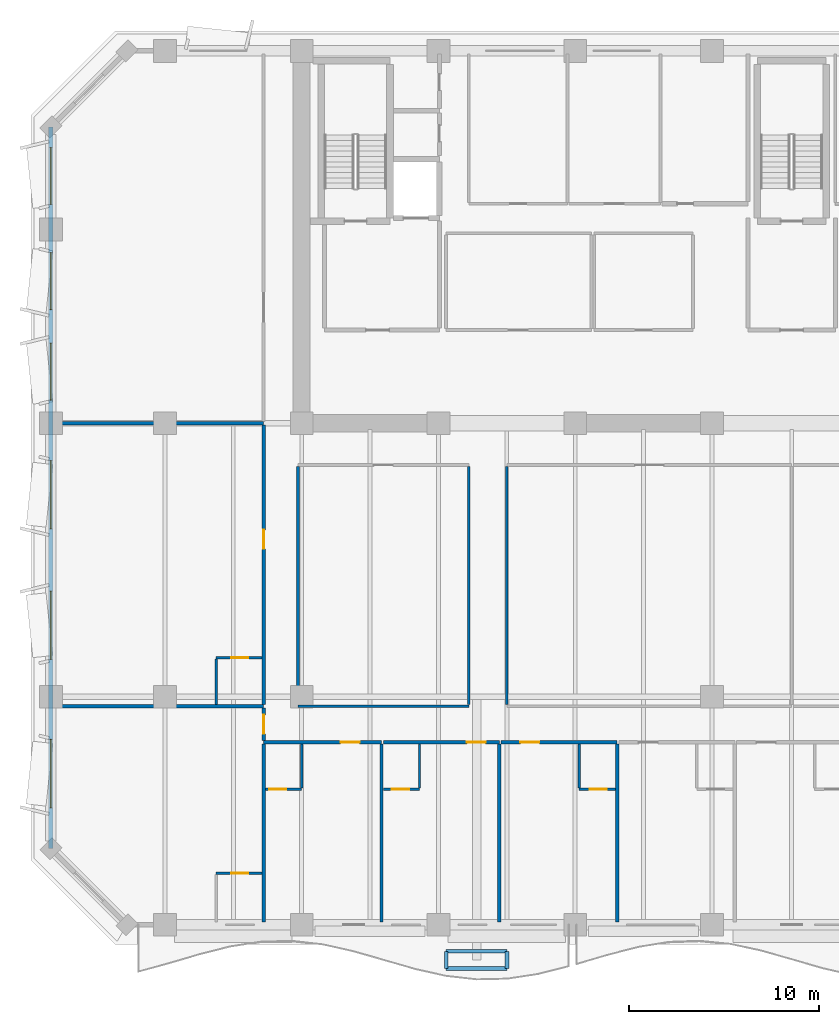
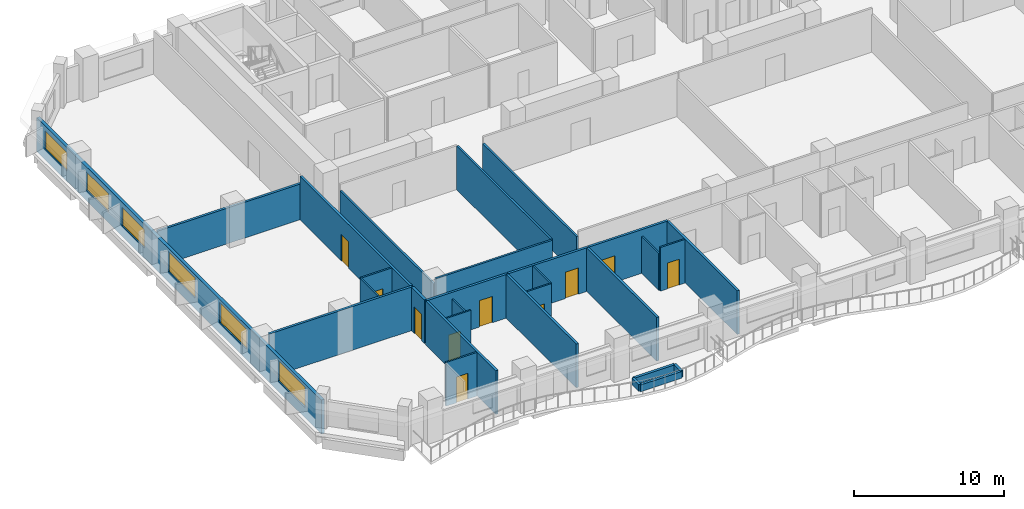
# One storey, part 4 of 15: 29 walls, 10 doors, 6 windows, 16 openings.
"""IFC4 building model written with IfcOpenShell, lengths in metres."""

from ifc_helpers import new_model, si_unit, direction, frame, frame_2d, origin, place, context, subcontext, project, spatial, rectangle, extrude, material, layer, layer_set, type_object, element, fill, save


model = new_model("IFC4")

# Units and contexts
model_context = context("Model", 3, precision=1e-05, world=origin(), true_north=direction((0.0, 1.0)))
body_context = subcontext(model_context, "Body", "Model", "MODEL_VIEW")
ifc_project = project(units=[si_unit("LENGTHUNIT", "METRE"), si_unit("AREAUNIT", "SQUARE_METRE"), si_unit("VOLUMEUNIT", "CUBIC_METRE"), si_unit("PLANEANGLEUNIT", "RADIAN"), si_unit("MASSUNIT", "GRAM", prefix="KILO")], contexts=[model_context])

# Site, building, storey
site_placement = place(None, origin())
site = spatial("IfcSite", under=ifc_project, at=site_placement, CompositionType="ELEMENT")
building_placement = place(site_placement, origin())
building = spatial("IfcBuilding", under=site, at=building_placement, Name="Kaelvorn Grand Hotel", CompositionType="ELEMENT")
storey_placement = place(building_placement, frame((0.0, 0.0, 154.35009765625)))
storey = spatial("IfcBuildingStorey", under=building, at=storey_placement, Name="L37", CompositionType="ELEMENT", Elevation=154.35009765625)

# Wall, openings, windows
ifc_material_1 = material(Name="Concrete C40/50", Category="concrete")
ifc_layer_1 = layer(ifc_material_1, 0.239990234375)
ifc_layer_set_1 = layer_set([ifc_layer_1], Name="Concrete C40/50")
wall_type_1 = type_object("IfcWallType", Name="WL-EXT-240-C40", PredefinedType="SOLIDWALL", material=ifc_layer_set_1)
wall_1_placement = place(storey_placement, frame((3.0, 45.0, 0.0), z_axis=(0.0, 0.0, 1.0), x_axis=(0.0, -1.0, 0.0)))
wall_1 = element("IfcWall", 1, at=wall_1_placement, inside=storey, type_object=wall_type_1, Name="L37 Exterior Architectural Concrete Wall 07", PredefinedType="SOLIDWALL", context=body_context, shape_type="SweptSolid", body=[
    extrude(rectangle(XDim=38.0, YDim=0.239990234375, at=frame_2d((19.0, 0.0))), origin(), (0.0, 0.0, 1.0), 2.760009765625),
])
opening_1_placement = place(wall_1_placement, frame((32.25, 0.0, 0.85009765625)))
opening_1 = element("IfcOpeningElement", 2, at=opening_1_placement, cuts=wall_1, Name="Opening W3", PredefinedType="OPENING", context=body_context, shape_type="SweptSolid", body=[
    extrude(rectangle(XDim=3.60009765625, YDim=1.64990234375, at=frame_2d((1.800048828125, 0.824951171875))), frame((0.0, 0.1298828125, 0.0), z_axis=(0.0, -1.0, 0.0), x_axis=(1.0, 0.0, 0.0)), (0.0, 0.0, 1.0), 0.260009765625),
])
opening_2_placement = place(wall_1_placement, frame((24.43505859375, 0.0, 0.85009765625)))
opening_2 = element("IfcOpeningElement", 3, at=opening_2_placement, cuts=wall_1, Name="Opening W3", PredefinedType="OPENING", context=body_context, shape_type="SweptSolid", body=[
    extrude(rectangle(XDim=3.60009765625, YDim=1.64990234375, at=frame_2d((1.800048828125, 0.824951171875))), frame((0.0, 0.1298828125, 0.0), z_axis=(0.0, -1.0, 0.0), x_axis=(1.0, 0.0, 0.0)), (0.0, 0.0, 1.0), 0.260009765625),
])
opening_3_placement = place(wall_1_placement, frame((17.56494140625, 0.0, 0.85009765625)))
opening_3 = element("IfcOpeningElement", 4, at=opening_3_placement, cuts=wall_1, Name="Opening W3", PredefinedType="OPENING", context=body_context, shape_type="SweptSolid", body=[
    extrude(rectangle(XDim=3.60009765625, YDim=1.64990234375, at=frame_2d((1.800048828125, 0.824951171875))), frame((0.0, 0.1298828125, 0.0), z_axis=(0.0, -1.0, 0.0), x_axis=(1.0, 0.0, 0.0)), (0.0, 0.0, 1.0), 0.260009765625),
])
opening_4_placement = place(wall_1_placement, frame((11.385009765625, 0.0, 0.85009765625)))
opening_4 = element("IfcOpeningElement", 5, at=opening_4_placement, cuts=wall_1, Name="Opening W5", PredefinedType="OPENING", context=body_context, shape_type="SweptSolid", body=[
    extrude(rectangle(XDim=3.0, YDim=1.5, at=frame_2d((1.5, 0.75))), frame((0.0, 0.1298828125, 0.0), z_axis=(0.0, -1.0, 0.0), x_axis=(1.0, 0.0, 0.0)), (0.0, 0.0, 1.0), 0.260009765625),
])
opening_5_placement = place(wall_1_placement, frame((6.614990234375, 0.0, 0.85009765625)))
opening_5 = element("IfcOpeningElement", 6, at=opening_5_placement, cuts=wall_1, Name="Opening W5", PredefinedType="OPENING", context=body_context, shape_type="SweptSolid", body=[
    extrude(rectangle(XDim=3.0, YDim=1.5, at=frame_2d((1.5, 0.75))), frame((0.0, 0.1298828125, 0.0), z_axis=(0.0, -1.0, 0.0), x_axis=(1.0, 0.0, 0.0)), (0.0, 0.0, 1.0), 0.260009765625),
])
opening_6_placement = place(wall_1_placement, frame((1.0849609375, 0.0, 0.85009765625)))
opening_6 = element("IfcOpeningElement", 7, at=opening_6_placement, cuts=wall_1, Name="Opening W5", PredefinedType="OPENING", context=body_context, shape_type="SweptSolid", body=[
    extrude(rectangle(XDim=3.0, YDim=1.5, at=frame_2d((1.5, 0.75))), frame((0.0, 0.1298828125, 0.0), z_axis=(0.0, -1.0, 0.0), x_axis=(1.0, 0.0, 0.0)), (0.0, 0.0, 1.0), 0.260009765625),
])
ifc_material_2 = material(Name="Laminated Low-E Glass", Category="glass")
window_type_1 = type_object("IfcWindowType", Name="WIN-NTH-3000x1500", PartitioningType="SINGLE_PANEL", PredefinedType="WINDOW", material=ifc_material_2)
window_1_placement = place(opening_4_placement, origin())
window_1 = element("IfcWindow", 8, at=window_1_placement, inside=storey, type_object=window_type_1, Name="L37 W Wing Tilted-Frame Ribbon Window W04", OverallHeight=1.5, OverallWidth=3.0, PartitioningType="SINGLE_PANEL", PredefinedType="WINDOW", context=body_context, shape_type="SweptSolid", body=[
    extrude(rectangle(XDim=3.0, YDim=1.5, at=frame_2d((1.5, 0.75))), frame((0.0, 0.030029296875, 0.0), z_axis=(0.0, -1.0, 0.0), x_axis=(1.0, 0.0, 0.0)), (0.0, 0.0, 1.0), 0.06005859375),
])
fill(opening_4, window_1)
window_2_placement = place(opening_5_placement, origin())
window_2 = element("IfcWindow", 9, at=window_2_placement, inside=storey, type_object=window_type_1, Name="L37 W Wing Tilted-Frame Ribbon Window W05", OverallHeight=1.5, OverallWidth=3.0, PartitioningType="SINGLE_PANEL", PredefinedType="WINDOW", context=body_context, shape_type="SweptSolid", body=[
    extrude(rectangle(XDim=3.0, YDim=1.5, at=frame_2d((1.5, 0.75))), frame((0.0, 0.030029296875, 0.0), z_axis=(0.0, -1.0, 0.0), x_axis=(1.0, 0.0, 0.0)), (0.0, 0.0, 1.0), 0.06005859375),
])
fill(opening_5, window_2)
window_3_placement = place(opening_6_placement, origin())
window_3 = element("IfcWindow", 10, at=window_3_placement, inside=storey, type_object=window_type_1, Name="L37 W Wing Tilted-Frame Ribbon Window W06", OverallHeight=1.5, OverallWidth=3.0, PartitioningType="SINGLE_PANEL", PredefinedType="WINDOW", context=body_context, shape_type="SweptSolid", body=[
    extrude(rectangle(XDim=3.0, YDim=1.5, at=frame_2d((1.5, 0.75))), frame((0.0, 0.030029296875, 0.0), z_axis=(0.0, -1.0, 0.0), x_axis=(1.0, 0.0, 0.0)), (0.0, 0.0, 1.0), 0.06005859375),
])
fill(opening_6, window_3)
window_type_2 = type_object("IfcWindowType", Name="WIN-RIB-3600x1750", PartitioningType="SINGLE_PANEL", PredefinedType="WINDOW", material=ifc_material_2)
window_4_placement = place(opening_1_placement, origin())
window_4 = element("IfcWindow", 11, at=window_4_placement, inside=storey, type_object=window_type_2, Name="L37 W Wing Tilted-Frame Ribbon Window W01", OverallHeight=1.64990234375, OverallWidth=3.60009765625, PartitioningType="SINGLE_PANEL", PredefinedType="WINDOW", context=body_context, shape_type="SweptSolid", body=[
    extrude(rectangle(XDim=3.60009765625, YDim=1.64990234375, at=frame_2d((1.800048828125, 0.824951171875))), frame((0.0, 0.030029296875, 0.0), z_axis=(0.0, -1.0, 0.0), x_axis=(1.0, 0.0, 0.0)), (0.0, 0.0, 1.0), 0.06005859375),
])
fill(opening_1, window_4)
window_5_placement = place(opening_2_placement, origin())
window_5 = element("IfcWindow", 12, at=window_5_placement, inside=storey, type_object=window_type_2, Name="L37 W Wing Tilted-Frame Ribbon Window W02", OverallHeight=1.64990234375, OverallWidth=3.60009765625, PartitioningType="SINGLE_PANEL", PredefinedType="WINDOW", context=body_context, shape_type="SweptSolid", body=[
    extrude(rectangle(XDim=3.60009765625, YDim=1.64990234375, at=frame_2d((1.800048828125, 0.824951171875))), frame((0.0, 0.030029296875, 0.0), z_axis=(0.0, -1.0, 0.0), x_axis=(1.0, 0.0, 0.0)), (0.0, 0.0, 1.0), 0.06005859375),
])
fill(opening_2, window_5)
window_6_placement = place(opening_3_placement, origin())
window_6 = element("IfcWindow", 13, at=window_6_placement, inside=storey, type_object=window_type_2, Name="L37 W Wing Tilted-Frame Ribbon Window W03", OverallHeight=1.64990234375, OverallWidth=3.60009765625, PartitioningType="SINGLE_PANEL", PredefinedType="WINDOW", context=body_context, shape_type="SweptSolid", body=[
    extrude(rectangle(XDim=3.60009765625, YDim=1.64990234375, at=frame_2d((1.800048828125, 0.824951171875))), frame((0.0, 0.030029296875, 0.0), z_axis=(0.0, -1.0, 0.0), x_axis=(1.0, 0.0, 0.0)), (0.0, 0.0, 1.0), 0.06005859375),
])
fill(opening_3, window_6)

# Wall, opening, door
ifc_material_3 = material(Name="Moisture-Resistant Tile & Stud Board")
ifc_layer_2 = layer(ifc_material_3, 0.125)
ifc_layer_set_2 = layer_set([ifc_layer_2], Name="Moisture-Resistant Tile & Stud Board")
wall_type_2 = type_object("IfcWallType", Name="WL-PART-125-WET", PredefinedType="PARTITIONING", material=ifc_layer_set_2)
wall_2_placement = place(storey_placement, frame((14.294921875, 10.139892578125, 0.0), z_axis=(0.0, 0.0, 1.0), x_axis=(1.0, 0.0, 0.0)))
wall_2 = element("IfcWall", 14, at=wall_2_placement, inside=storey, type_object=wall_type_2, Name="L37 En-suite Bathroom L37-01 S Partition", PredefinedType="PARTITIONING", context=body_context, shape_type="SweptSolid", body=[
    extrude(rectangle(XDim=1.905029296875, YDim=0.125, at=frame_2d((0.95263671875, 0.0))), origin(), (0.0, 0.0, 1.0), 3.559814453125),
])
opening_7_placement = place(wall_2_placement, frame((0.205078125, 0.0, 0.0)))
opening_7 = element("IfcOpeningElement", 15, at=opening_7_placement, cuts=wall_2, Name="Opening DI4", PredefinedType="OPENING", context=body_context, shape_type="SweptSolid", body=[
    extrude(rectangle(XDim=0.89990234375, YDim=2.10009765625, at=frame_2d((0.449951171875, 1.050048828125))), frame((0.0, 0.072509765625, 0.0), z_axis=(0.0, -1.0, 0.0), x_axis=(1.0, 0.0, 0.0)), (0.0, 0.0, 1.0), 0.14501953125),
])
ifc_material_4 = material(Name="Timber Veneer Leaf", Category="wood")
door_type_1 = type_object("IfcDoorType", Name="DR-INT-BATH-900x2100", OperationType="NOTDEFINED", PredefinedType="DOOR", material=ifc_material_4)
door_1_placement = place(opening_7_placement, origin())
door_1 = element("IfcDoor", 16, at=door_1_placement, inside=storey, type_object=door_type_1, Name="L37 En-suite Bathroom L37-01 Door", OperationType="SINGLE_SWING_RIGHT", OverallHeight=2.10009765625, OverallWidth=0.89990234375, PredefinedType="DOOR", context=body_context, shape_type="SweptSolid", body=[
    extrude(rectangle(XDim=0.89990234375, YDim=2.10009765625, at=frame_2d((0.449951171875, 1.050048828125))), frame((0.0, 0.02490234375, 0.0), z_axis=(0.0, -1.0, 0.0), x_axis=(1.0, 0.0, 0.0)), (0.0, 0.0, 1.0), 0.050048828125),
])
fill(opening_7, door_1)

# Wall
wall_3_placement = place(storey_placement, frame((16.199951171875, 10.20751953125, 0.0), z_axis=(0.0, 0.0, 1.0), x_axis=(0.0, 1.0, 0.0)))
element("IfcWall", 17, at=wall_3_placement, inside=storey, type_object=wall_type_2, Name="L37 En-suite Bathroom L37-01 E Partition", PredefinedType="PARTITIONING", context=body_context, shape_type="SweptSolid", body=[
    extrude(rectangle(XDim=2.29736328125, YDim=0.125, at=frame_2d((1.148681640625, 0.0))), origin(), (0.0, 0.0, 1.0), 3.010009765625),
])

# Wall, opening, door
wall_4_placement = place(storey_placement, frame((20.49658203125, 10.139892578125, 0.0), z_axis=(0.0, 0.0, 1.0), x_axis=(1.0, 0.0, 0.0)))
wall_4 = element("IfcWall", 18, at=wall_4_placement, inside=storey, type_object=wall_type_2, Name="L37 En-suite Bathroom L37-02 S Partition", PredefinedType="PARTITIONING", context=body_context, shape_type="SweptSolid", body=[
    extrude(rectangle(XDim=1.905029296875, YDim=0.125, at=frame_2d((0.95263671875, 0.0))), origin(), (0.0, 0.0, 1.0), 3.559814453125),
])
opening_8_placement = place(wall_4_placement, frame((0.455078125, 0.0, 0.0)))
opening_8 = element("IfcOpeningElement", 19, at=opening_8_placement, cuts=wall_4, Name="Opening DI4", PredefinedType="OPENING", context=body_context, shape_type="SweptSolid", body=[
    extrude(rectangle(XDim=0.89990234375, YDim=2.10009765625, at=frame_2d((0.449951171875, 1.050048828125))), frame((0.0, 0.072509765625, 0.0), z_axis=(0.0, -1.0, 0.0), x_axis=(1.0, 0.0, 0.0)), (0.0, 0.0, 1.0), 0.14501953125),
])
door_2_placement = place(opening_8_placement, origin())
door_2 = element("IfcDoor", 20, at=door_2_placement, inside=storey, type_object=door_type_1, Name="L37 En-suite Bathroom L37-02 Door", OperationType="SINGLE_SWING_RIGHT", OverallHeight=2.10009765625, OverallWidth=0.89990234375, PredefinedType="DOOR", context=body_context, shape_type="SweptSolid", body=[
    extrude(rectangle(XDim=0.89990234375, YDim=2.10009765625, at=frame_2d((0.449951171875, 1.050048828125))), frame((0.0, 0.02490234375, 0.0), z_axis=(0.0, -1.0, 0.0), x_axis=(1.0, 0.0, 0.0)), (0.0, 0.0, 1.0), 0.050048828125),
])
fill(opening_8, door_2)

# Wall
wall_5_placement = place(storey_placement, frame((22.401611328125, 10.20751953125, 0.0), z_axis=(0.0, 0.0, 1.0), x_axis=(0.0, 1.0, 0.0)))
element("IfcWall", 21, at=wall_5_placement, inside=storey, type_object=wall_type_2, Name="L37 En-suite Bathroom L37-02 E Partition", PredefinedType="PARTITIONING", context=body_context, shape_type="SweptSolid", body=[
    extrude(rectangle(XDim=2.29736328125, YDim=0.125, at=frame_2d((1.148681640625, 0.0))), origin(), (0.0, 0.0, 1.0), 3.559814453125),
])

# Wall, opening, door
wall_6_placement = place(storey_placement, frame((30.8046875, 10.139892578125, 0.0), z_axis=(0.0, 0.0, 1.0), x_axis=(1.0, 0.0, 0.0)))
wall_6 = element("IfcWall", 22, at=wall_6_placement, inside=storey, type_object=wall_type_2, Name="L37 En-suite Bathroom L37-03 S Partition", PredefinedType="PARTITIONING", context=body_context, shape_type="SweptSolid", body=[
    extrude(rectangle(XDim=1.905029296875, YDim=0.125, at=frame_2d((0.95263671875, 0.0))), origin(), (0.0, 0.0, 1.0), 3.559814453125),
])
opening_9_placement = place(wall_6_placement, frame((0.550048828125, 0.0, 0.0)))
opening_9 = element("IfcOpeningElement", 23, at=opening_9_placement, cuts=wall_6, Name="Opening DI4", PredefinedType="OPENING", context=body_context, shape_type="SweptSolid", body=[
    extrude(rectangle(XDim=0.89990234375, YDim=2.10009765625, at=frame_2d((0.449951171875, 1.050048828125))), frame((0.0, 0.072509765625, 0.0), z_axis=(0.0, -1.0, 0.0), x_axis=(1.0, 0.0, 0.0)), (0.0, 0.0, 1.0), 0.14501953125),
])
door_3_placement = place(opening_9_placement, origin())
door_3 = element("IfcDoor", 24, at=door_3_placement, inside=storey, type_object=door_type_1, Name="L37 En-suite Bathroom L37-03 Door", OperationType="SINGLE_SWING_RIGHT", OverallHeight=2.10009765625, OverallWidth=0.89990234375, PredefinedType="DOOR", context=body_context, shape_type="SweptSolid", body=[
    extrude(rectangle(XDim=0.89990234375, YDim=2.10009765625, at=frame_2d((0.449951171875, 1.050048828125))), frame((0.0, 0.02490234375, 0.0), z_axis=(0.0, -1.0, 0.0), x_axis=(1.0, 0.0, 0.0)), (0.0, 0.0, 1.0), 0.050048828125),
])
fill(opening_9, door_3)

# Wall
wall_7_placement = place(storey_placement, frame((30.8046875, 10.20751953125, 0.0), z_axis=(0.0, 0.0, 1.0), x_axis=(0.0, 1.0, 0.0)))
element("IfcWall", 25, at=wall_7_placement, inside=storey, type_object=wall_type_2, Name="L37 En-suite Bathroom L37-03 W Partition", PredefinedType="PARTITIONING", context=body_context, shape_type="SweptSolid", body=[
    extrude(rectangle(XDim=2.29736328125, YDim=0.125, at=frame_2d((1.148681640625, 0.0))), origin(), (0.0, 0.0, 1.0), 3.010009765625),
])

# Wall, opening, door
wall_8_placement = place(storey_placement, frame((11.699951171875, 5.699951171875, 0.0), z_axis=(0.0, 0.0, 1.0), x_axis=(1.0, 0.0, 0.0)))
wall_8 = element("IfcWall", 26, at=wall_8_placement, inside=storey, type_object=wall_type_2, Name="L37 En-suite Bathroom L37-10 N Partition", PredefinedType="PARTITIONING", context=body_context, shape_type="SweptSolid", body=[
    extrude(rectangle(XDim=2.405029296875, YDim=0.125, at=frame_2d((1.20263671875, 0.0))), origin(), (0.0, 0.0, 1.0), 3.559814453125),
])
opening_10_placement = place(wall_8_placement, frame((0.800048828125, 0.0, 0.0)))
opening_10 = element("IfcOpeningElement", 27, at=opening_10_placement, cuts=wall_8, Name="Opening DI4", PredefinedType="OPENING", context=body_context, shape_type="SweptSolid", body=[
    extrude(rectangle(XDim=0.89990234375, YDim=2.10009765625, at=frame_2d((0.449951171875, 1.050048828125))), frame((0.0, 0.072509765625, 0.0), z_axis=(0.0, -1.0, 0.0), x_axis=(1.0, 0.0, 0.0)), (0.0, 0.0, 1.0), 0.14501953125),
])
door_4_placement = place(opening_10_placement, origin())
door_4 = element("IfcDoor", 28, at=door_4_placement, inside=storey, type_object=door_type_1, Name="L37 En-suite Bathroom L37-10 Door", OperationType="SINGLE_SWING_RIGHT", OverallHeight=2.10009765625, OverallWidth=0.89990234375, PredefinedType="DOOR", context=body_context, shape_type="SweptSolid", body=[
    extrude(rectangle(XDim=0.89990234375, YDim=2.10009765625, at=frame_2d((0.449951171875, 1.050048828125))), frame((0.0, 0.02490234375, 0.0), z_axis=(0.0, -1.0, 0.0), x_axis=(1.0, 0.0, 0.0)), (0.0, 0.0, 1.0), 0.050048828125),
])
fill(opening_10, door_4)

wall_9_placement = place(storey_placement, frame((11.699951171875, 17.050048828125, 0.0), z_axis=(0.0, 0.0, 1.0), x_axis=(1.0, 0.0, 0.0)))
wall_9 = element("IfcWall", 29, at=wall_9_placement, inside=storey, type_object=wall_type_2, Name="L37 En-suite Bathroom L37-11 N Partition", PredefinedType="PARTITIONING", context=body_context, shape_type="SweptSolid", body=[
    extrude(rectangle(XDim=2.405029296875, YDim=0.125, at=frame_2d((1.20263671875, 0.0))), origin(), (0.0, 0.0, 1.0), 3.559814453125),
])
opening_11_placement = place(wall_9_placement, frame((0.800048828125, 0.0, 0.0)))
opening_11 = element("IfcOpeningElement", 30, at=opening_11_placement, cuts=wall_9, Name="Opening DI4", PredefinedType="OPENING", context=body_context, shape_type="SweptSolid", body=[
    extrude(rectangle(XDim=0.89990234375, YDim=2.10009765625, at=frame_2d((0.449951171875, 1.050048828125))), frame((0.0, 0.072509765625, 0.0), z_axis=(0.0, -1.0, 0.0), x_axis=(1.0, 0.0, 0.0)), (0.0, 0.0, 1.0), 0.14501953125),
])
door_5_placement = place(opening_11_placement, origin())
door_5 = element("IfcDoor", 31, at=door_5_placement, inside=storey, type_object=door_type_1, Name="L37 En-suite Bathroom L37-11 Door", OperationType="SINGLE_SWING_RIGHT", OverallHeight=2.10009765625, OverallWidth=0.89990234375, PredefinedType="DOOR", context=body_context, shape_type="SweptSolid", body=[
    extrude(rectangle(XDim=0.89990234375, YDim=2.10009765625, at=frame_2d((0.449951171875, 1.050048828125))), frame((0.0, 0.02490234375, 0.0), z_axis=(0.0, -1.0, 0.0), x_axis=(1.0, 0.0, 0.0)), (0.0, 0.0, 1.0), 0.050048828125),
])
fill(opening_11, door_5)

# Walls
wall_10_placement = place(storey_placement, frame((11.699951171875, 14.594970703125, 0.0), z_axis=(0.0, 0.0, 1.0), x_axis=(0.0, 1.0, 0.0)))
element("IfcWall", 32, at=wall_10_placement, inside=storey, type_object=wall_type_2, Name="L37 En-suite Bathroom L37-11 W Partition", PredefinedType="PARTITIONING", context=body_context, shape_type="SweptSolid", body=[
    extrude(rectangle(XDim=2.387451171875, YDim=0.125, at=frame_2d((1.19384765625, 0.0))), origin(), (0.0, 0.0, 1.0), 3.559814453125),
])
ifc_material_5 = material(Name="Acoustic Gypsum & Stud Partition")
ifc_layer_3 = layer(ifc_material_5, 0.14990234375)
ifc_layer_set_3 = layer_set([ifc_layer_3], Name="Acoustic Gypsum & Stud Partition")
wall_type_3 = type_object("IfcWallType", Name="WL-PART-150-EI60", PredefinedType="PARTITIONING", material=ifc_layer_set_3)
wall_11_placement = place(storey_placement, frame((16.0, 14.5, 0.0), z_axis=(0.0, 0.0, 1.0), x_axis=(1.0, 0.0, 0.0)))
element("IfcWall", 33, at=wall_11_placement, inside=storey, type_object=wall_type_3, Name="L37 Reading Library Lounge S Partition", PredefinedType="PARTITIONING", context=body_context, shape_type="SweptSolid", body=[
    extrude(rectangle(XDim=9.0, YDim=0.14990234375, at=frame_2d((4.5, 0.0))), origin(), (0.0, 0.0, 1.0), 3.559814453125),
])
wall_12_placement = place(storey_placement, frame((16.0, 14.580078125, 0.0), z_axis=(0.0, 0.0, 1.0), x_axis=(0.0, 1.0, 0.0)))
element("IfcWall", 34, at=wall_12_placement, inside=storey, type_object=wall_type_3, Name="L37 Reading Library Lounge W Partition", PredefinedType="PARTITIONING", context=body_context, shape_type="SweptSolid", body=[
    extrude(rectangle(XDim=12.5400390625, YDim=0.14990234375, at=frame_2d((6.27001953125, 0.0))), origin(), (0.0, 0.0, 1.0), 3.059814453125),
])
wall_13_placement = place(storey_placement, frame((25.0, 14.580078125, 0.0), z_axis=(0.0, 0.0, 1.0), x_axis=(0.0, 1.0, 0.0)))
element("IfcWall", 35, at=wall_13_placement, inside=storey, type_object=wall_type_3, Name="L37 Reading Library Lounge E Partition", PredefinedType="PARTITIONING", context=body_context, shape_type="SweptSolid", body=[
    extrude(rectangle(XDim=12.5400390625, YDim=0.14990234375, at=frame_2d((6.27001953125, 0.0))), origin(), (0.0, 0.0, 1.0), 3.559814453125),
])
wall_14_placement = place(storey_placement, frame((27.0, 14.580078125, 0.0), z_axis=(0.0, 0.0, 1.0), x_axis=(0.0, 1.0, 0.0)))
element("IfcWall", 36, at=wall_14_placement, inside=storey, type_object=wall_type_3, Name="L37 Chef Finishing Kitchen W Partition", PredefinedType="PARTITIONING", context=body_context, shape_type="SweptSolid", body=[
    extrude(rectangle(XDim=12.5400390625, YDim=0.14990234375, at=frame_2d((6.27001953125, 0.0))), origin(), (0.0, 0.0, 1.0), 3.059814453125),
])

# Wall, opening, door
ifc_layer_4 = layer(ifc_material_5, 0.179931640625)
ifc_layer_set_4 = layer_set([ifc_layer_4], Name="Acoustic Gypsum & Stud Partition")
wall_type_4 = type_object("IfcWallType", Name="WL-PART-180-EI60", PredefinedType="PARTITIONING", material=ifc_layer_set_4)
wall_15_placement = place(storey_placement, frame((14.199951171875, 12.60009765625, 0.0), z_axis=(0.0, 0.0, 1.0), x_axis=(1.0, 0.0, 0.0)))
wall_15 = element("IfcWall", 37, at=wall_15_placement, inside=storey, type_object=wall_type_4, Name="L37 Mid-Rise Signature Suite L37-01 N Partition", PredefinedType="PARTITIONING", context=body_context, shape_type="SweptSolid", body=[
    extrude(rectangle(XDim=6.20166015625, YDim=0.179931640625, at=frame_2d((3.100830078125, 0.0))), origin(), (0.0, 0.0, 1.0), 3.559814453125),
])
opening_12_placement = place(wall_15_placement, frame((4.05078125, 0.0, 0.0)))
opening_12 = element("IfcOpeningElement", 38, at=opening_12_placement, cuts=wall_15, Name="Opening DI3", PredefinedType="OPENING", context=body_context, shape_type="SweptSolid", body=[
    extrude(rectangle(XDim=1.0, YDim=2.14990234375, at=frame_2d((0.5, 1.074951171875))), frame((0.0, 0.10009765625, 0.0), z_axis=(0.0, -1.0, 0.0), x_axis=(1.0, 0.0, 0.0)), (0.0, 0.0, 1.0), 0.199951171875),
])
ifc_material_6 = material(Name="Timber Veneer Fire Leaf", Category="wood")
door_type_2 = type_object("IfcDoorType", Name="DR-INT-GUEST-1000x2150", OperationType="NOTDEFINED", PredefinedType="DOOR", material=ifc_material_6)
door_6_placement = place(opening_12_placement, origin())
door_6 = element("IfcDoor", 39, at=door_6_placement, inside=storey, type_object=door_type_2, Name="L37 Mid-Rise Signature Suite L37-01 Door", OperationType="SINGLE_SWING_LEFT", OverallHeight=2.14990234375, OverallWidth=1.0, PredefinedType="DOOR", context=body_context, shape_type="SweptSolid", body=[
    extrude(rectangle(XDim=1.0, YDim=2.14990234375, at=frame_2d((0.5, 1.074951171875))), frame((0.0, 0.02490234375, 0.0), z_axis=(0.0, -1.0, 0.0), x_axis=(1.0, 0.0, 0.0)), (0.0, 0.0, 1.0), 0.050048828125),
])
fill(opening_12, door_6)

# Walls
for number, where, z_axis, x_axis, name in (
    (40, (14.199951171875, 3.14990234375, 0.0), (0.0, 0.0, 1.0), (0.0, 1.0, 0.0), "L37 Mid-Rise Signature Suite L37-01 W Partition"),
    (41, (20.401611328125, 3.14990234375, 0.0), (0.0, 0.0, 1.0), (0.0, 1.0, 0.0), "L37 Mid-Rise Signature Suite L37-01 E Partition"),
):
    element("IfcWall", number, at=place(storey_placement, frame(where, z_axis=z_axis, x_axis=x_axis)), inside=storey, type_object=wall_type_4, Name=name, PredefinedType="PARTITIONING", context=body_context, shape_type="SweptSolid", body=[
        extrude(rectangle(XDim=9.35498046875, YDim=0.179931640625, at=frame_2d((4.677490234375, 0.0))), origin(), (0.0, 0.0, 1.0), 3.559814453125),
    ])

# Wall, opening, door
wall_16_placement = place(storey_placement, frame((20.49658203125, 12.60009765625, 0.0), z_axis=(0.0, 0.0, 1.0), x_axis=(1.0, 0.0, 0.0)))
wall_16 = element("IfcWall", 42, at=wall_16_placement, inside=storey, type_object=wall_type_4, Name="L37 Mid-Rise Signature Suite L37-02 N Partition", PredefinedType="PARTITIONING", context=body_context, shape_type="SweptSolid", body=[
    extrude(rectangle(XDim=6.1064453125, YDim=0.179931640625, at=frame_2d((3.05322265625, 0.0))), origin(), (0.0, 0.0, 1.0), 3.559814453125),
])
opening_13_placement = place(wall_16_placement, frame((4.39501953125, 0.0, 0.0)))
opening_13 = element("IfcOpeningElement", 43, at=opening_13_placement, cuts=wall_16, Name="Opening DI3", PredefinedType="OPENING", context=body_context, shape_type="SweptSolid", body=[
    extrude(rectangle(XDim=1.0, YDim=2.14990234375, at=frame_2d((0.5, 1.074951171875))), frame((0.0, 0.10009765625, 0.0), z_axis=(0.0, -1.0, 0.0), x_axis=(1.0, 0.0, 0.0)), (0.0, 0.0, 1.0), 0.199951171875),
])
door_7_placement = place(opening_13_placement, origin())
door_7 = element("IfcDoor", 44, at=door_7_placement, inside=storey, type_object=door_type_2, Name="L37 Mid-Rise Signature Suite L37-02 Door", OperationType="SINGLE_SWING_LEFT", OverallHeight=2.14990234375, OverallWidth=1.0, PredefinedType="DOOR", context=body_context, shape_type="SweptSolid", body=[
    extrude(rectangle(XDim=1.0, YDim=2.14990234375, at=frame_2d((0.5, 1.074951171875))), frame((0.0, 0.02490234375, 0.0), z_axis=(0.0, -1.0, 0.0), x_axis=(1.0, 0.0, 0.0)), (0.0, 0.0, 1.0), 0.050048828125),
])
fill(opening_13, door_7)

# Wall
wall_17_placement = place(storey_placement, frame((26.60302734375, 3.14990234375, 0.0), z_axis=(0.0, 0.0, 1.0), x_axis=(0.0, 1.0, 0.0)))
element("IfcWall", 45, at=wall_17_placement, inside=storey, type_object=wall_type_4, Name="L37 Mid-Rise Signature Suite L37-02 E Partition", PredefinedType="PARTITIONING", context=body_context, shape_type="SweptSolid", body=[
    extrude(rectangle(XDim=9.35498046875, YDim=0.179931640625, at=frame_2d((4.677490234375, 0.0))), origin(), (0.0, 0.0, 1.0), 3.559814453125),
])

# Wall, opening, door
wall_18_placement = place(storey_placement, frame((26.697998046875, 12.60009765625, 0.0), z_axis=(0.0, 0.0, 1.0), x_axis=(1.0, 0.0, 0.0)))
wall_18 = element("IfcWall", 46, at=wall_18_placement, inside=storey, type_object=wall_type_4, Name="L37 Mid-Rise Signature Suite L37-03 N Partition", PredefinedType="PARTITIONING", context=body_context, shape_type="SweptSolid", body=[
    extrude(rectangle(XDim=6.106689453125, YDim=0.179931640625, at=frame_2d((3.05322265625, 0.0))), origin(), (0.0, 0.0, 1.0), 3.559814453125),
])
opening_14_placement = place(wall_18_placement, frame((1.013427734375, 0.0, 0.0)))
opening_14 = element("IfcOpeningElement", 47, at=opening_14_placement, cuts=wall_18, Name="Opening DI3", PredefinedType="OPENING", context=body_context, shape_type="SweptSolid", body=[
    extrude(rectangle(XDim=1.0, YDim=2.14990234375, at=frame_2d((0.5, 1.074951171875))), frame((0.0, 0.10009765625, 0.0), z_axis=(0.0, -1.0, 0.0), x_axis=(1.0, 0.0, 0.0)), (0.0, 0.0, 1.0), 0.199951171875),
])
door_8_placement = place(opening_14_placement, origin())
door_8 = element("IfcDoor", 48, at=door_8_placement, inside=storey, type_object=door_type_2, Name="L37 Mid-Rise Signature Suite L37-03 Door", OperationType="SINGLE_SWING_LEFT", OverallHeight=2.14990234375, OverallWidth=1.0, PredefinedType="DOOR", context=body_context, shape_type="SweptSolid", body=[
    extrude(rectangle(XDim=1.0, YDim=2.14990234375, at=frame_2d((0.5, 1.074951171875))), frame((0.0, 0.02490234375, 0.0), z_axis=(0.0, -1.0, 0.0), x_axis=(1.0, 0.0, 0.0)), (0.0, 0.0, 1.0), 0.050048828125),
])
fill(opening_14, door_8)

# Walls
wall_19_placement = place(storey_placement, frame((32.8046875, 3.14990234375, 0.0), z_axis=(0.0, 0.0, 1.0), x_axis=(0.0, 1.0, 0.0)))
element("IfcWall", 49, at=wall_19_placement, inside=storey, type_object=wall_type_4, Name="L37 Mid-Rise Signature Suite L37-03 E Partition", PredefinedType="PARTITIONING", context=body_context, shape_type="SweptSolid", body=[
    extrude(rectangle(XDim=9.35498046875, YDim=0.179931640625, at=frame_2d((4.677490234375, 0.0))), origin(), (0.0, 0.0, 1.0), 3.559814453125),
])
wall_20_placement = place(storey_placement, frame((3.14990234375, 14.5, 0.0), z_axis=(0.0, 0.0, 1.0), x_axis=(1.0, 0.0, 0.0)))
element("IfcWall", 50, at=wall_20_placement, inside=storey, type_object=wall_type_4, Name="L37 South-West Chamfer Suite L37-10 N Partition", PredefinedType="PARTITIONING", context=body_context, shape_type="SweptSolid", body=[
    extrude(rectangle(XDim=11.050048828125, YDim=0.179931640625, at=frame_2d((5.52490234375, 0.0))), origin(), (0.0, 0.0, 1.0), 3.559814453125),
])

# Wall, opening, door
wall_21_placement = place(storey_placement, frame((14.199951171875, 12.695068359375, 0.0), z_axis=(0.0, 0.0, 1.0), x_axis=(0.0, 1.0, 0.0)))
wall_21 = element("IfcWall", 51, at=wall_21_placement, inside=storey, type_object=wall_type_4, Name="L37 South-West Chamfer Suite L37-10 E Partition", PredefinedType="PARTITIONING", context=body_context, shape_type="SweptSolid", body=[
    extrude(rectangle(XDim=1.7099609375, YDim=0.179931640625, at=frame_2d((0.85498046875, 0.0))), origin(), (0.0, 0.0, 1.0), 3.559814453125),
])
opening_15_placement = place(wall_21_placement, frame((0.35009765625, 0.0, 0.0)))
opening_15 = element("IfcOpeningElement", 52, at=opening_15_placement, cuts=wall_21, Name="Opening DI3", PredefinedType="OPENING", context=body_context, shape_type="SweptSolid", body=[
    extrude(rectangle(XDim=1.0, YDim=2.14990234375, at=frame_2d((0.5, 1.074951171875))), frame((0.0, 0.10009765625, 0.0), z_axis=(0.0, -1.0, 0.0), x_axis=(1.0, 0.0, 0.0)), (0.0, 0.0, 1.0), 0.199951171875),
])
door_9_placement = place(opening_15_placement, origin())
door_9 = element("IfcDoor", 53, at=door_9_placement, inside=storey, type_object=door_type_2, Name="L37 South-West Chamfer Suite L37-10 Door", OperationType="SINGLE_SWING_LEFT", OverallHeight=2.14990234375, OverallWidth=1.0, PredefinedType="DOOR", context=body_context, shape_type="SweptSolid", body=[
    extrude(rectangle(XDim=1.0, YDim=2.14990234375, at=frame_2d((0.5, 1.074951171875))), frame((0.0, 0.02490234375, 0.0), z_axis=(0.0, -1.0, 0.0), x_axis=(1.0, 0.0, 0.0)), (0.0, 0.0, 1.0), 0.050048828125),
])
fill(opening_15, door_9)

# Wall
wall_22_placement = place(storey_placement, frame((3.14990234375, 29.39990234375, 0.0), z_axis=(0.0, 0.0, 1.0), x_axis=(1.0, 0.0, 0.0)))
element("IfcWall", 54, at=wall_22_placement, inside=storey, type_object=wall_type_4, Name="L37 West End Panoramic Suite L37-11 N Partition", PredefinedType="PARTITIONING", context=body_context, shape_type="SweptSolid", body=[
    extrude(rectangle(XDim=11.050048828125, YDim=0.179931640625, at=frame_2d((5.52490234375, 0.0))), origin(), (0.0, 0.0, 1.0), 2.909912109375),
])

# Wall, opening, door
wall_23_placement = place(storey_placement, frame((14.199951171875, 14.594970703125, 0.0), z_axis=(0.0, 0.0, 1.0), x_axis=(0.0, 1.0, 0.0)))
wall_23 = element("IfcWall", 55, at=wall_23_placement, inside=storey, type_object=wall_type_4, Name="L37 West End Panoramic Suite L37-11 E Partition", PredefinedType="PARTITIONING", context=body_context, shape_type="SweptSolid", body=[
    extrude(rectangle(XDim=14.7099609375, YDim=0.179931640625, at=frame_2d((7.35498046875, 0.0))), origin(), (0.0, 0.0, 1.0), 3.559814453125),
])
opening_16_placement = place(wall_23_placement, frame((8.18994140625, 0.0, 0.0)))
opening_16 = element("IfcOpeningElement", 56, at=opening_16_placement, cuts=wall_23, Name="Opening DI3", PredefinedType="OPENING", context=body_context, shape_type="SweptSolid", body=[
    extrude(rectangle(XDim=1.0, YDim=2.14990234375, at=frame_2d((0.5, 1.074951171875))), frame((0.0, 0.10009765625, 0.0), z_axis=(0.0, -1.0, 0.0), x_axis=(1.0, 0.0, 0.0)), (0.0, 0.0, 1.0), 0.199951171875),
])
door_10_placement = place(opening_16_placement, origin())
door_10 = element("IfcDoor", 57, at=door_10_placement, inside=storey, type_object=door_type_2, Name="L37 West End Panoramic Suite L37-11 Door", OperationType="SINGLE_SWING_LEFT", OverallHeight=2.14990234375, OverallWidth=1.0, PredefinedType="DOOR", context=body_context, shape_type="SweptSolid", body=[
    extrude(rectangle(XDim=1.0, YDim=2.14990234375, at=frame_2d((0.5, 1.074951171875))), frame((0.0, 0.02490234375, 0.0), z_axis=(0.0, -1.0, 0.0), x_axis=(1.0, 0.0, 0.0)), (0.0, 0.0, 1.0), 0.050048828125),
])
fill(opening_16, door_10)

# Walls
ifc_layer_5 = layer(ifc_material_1, 0.199951171875)
ifc_layer_set_5 = layer_set([ifc_layer_5], Name="Concrete C40/50")
wall_type_5 = type_object("IfcWallType", Name="WL-TREE-PLANTER-200", PredefinedType="PARAPET", material=ifc_layer_set_5)
wall_24_placement = place(storey_placement, frame((23.8095703125, 0.699951171875, 0.0), z_axis=(0.0, 0.0, 1.0), x_axis=(1.0, 0.0, 0.0)))
element("IfcWall", 58, at=wall_24_placement, inside=storey, type_object=wall_type_5, Name="L37 Planted Balcony Structural TREE PLANTER Kerb 1-S", PredefinedType="PARAPET", context=body_context, shape_type="SweptSolid", body=[
    extrude(rectangle(XDim=3.199951171875, YDim=0.199951171875, at=frame_2d((1.60009765625, 0.0))), origin(), (0.0, 0.0, 1.0), 0.5498046875),
])
wall_25_placement = place(storey_placement, frame((27.009521484375, 0.699951171875, 0.0), z_axis=(0.0, 0.0, 1.0), x_axis=(0.0, 1.0, 0.0)))
element("IfcWall", 59, at=wall_25_placement, inside=storey, type_object=wall_type_5, Name="L37 Planted Balcony Structural TREE PLANTER Kerb 1-E", PredefinedType="PARAPET", context=body_context, shape_type="SweptSolid", body=[
    extrude(rectangle(XDim=0.900146484375, YDim=0.199951171875, at=frame_2d((0.4501953125, 0.0))), origin(), (0.0, 0.0, 1.0), 0.5498046875),
])
wall_26_placement = place(storey_placement, frame((27.009521484375, 1.60009765625, 0.0), z_axis=(0.0, 0.0, 1.0), x_axis=(-1.0, 0.0, 0.0)))
element("IfcWall", 60, at=wall_26_placement, inside=storey, type_object=wall_type_5, Name="L37 Planted Balcony Structural TREE PLANTER Kerb 1-N", PredefinedType="PARAPET", context=body_context, shape_type="SweptSolid", body=[
    extrude(rectangle(XDim=3.199951171875, YDim=0.199951171875, at=frame_2d((1.60009765625, 0.0))), origin(), (0.0, 0.0, 1.0), 0.5498046875),
])
wall_27_placement = place(storey_placement, frame((23.8095703125, 1.60009765625, 0.0), z_axis=(0.0, 0.0, 1.0), x_axis=(0.0, -1.0, 0.0)))
element("IfcWall", 61, at=wall_27_placement, inside=storey, type_object=wall_type_5, Name="L37 Planted Balcony Structural TREE PLANTER Kerb 1-W", PredefinedType="PARAPET", context=body_context, shape_type="SweptSolid", body=[
    extrude(rectangle(XDim=0.900146484375, YDim=0.199951171875, at=frame_2d((0.4501953125, 0.0))), origin(), (0.0, 0.0, 1.0), 0.5498046875),
])

save(model, "model.ifc")
